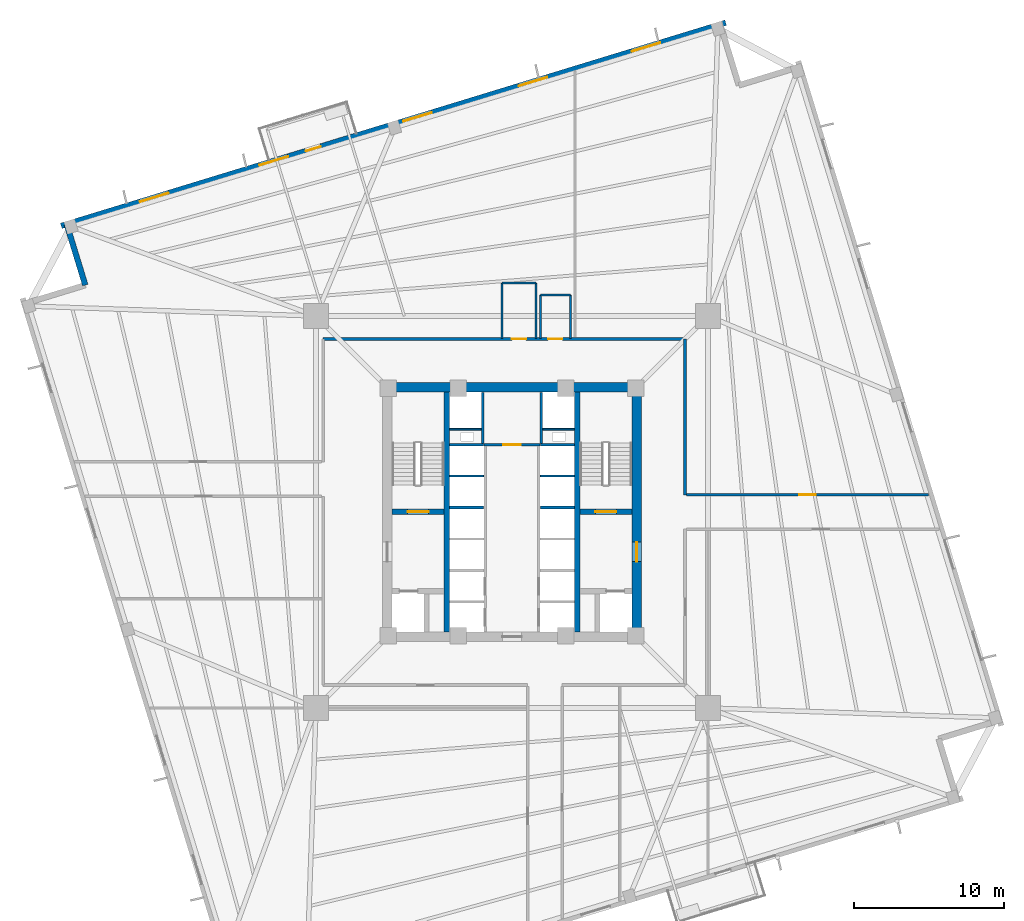
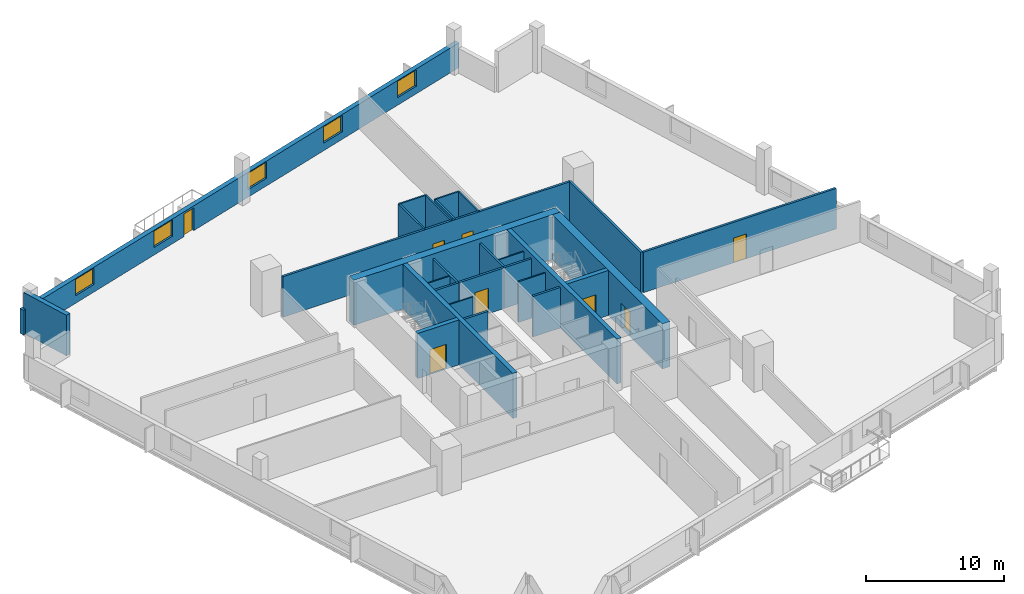
# One storey, part 4 of 8: 28 walls, 8 doors, 5 windows, 13 openings.
"""IFC4 building model written with IfcOpenShell, lengths in metres."""

from ifc_helpers import new_model, si_unit, direction, frame, frame_2d, origin, place, context, subcontext, project, spatial, rectangle, extrude, source, transform, mapped, material, layer, layer_set, type_object, element, fill, save


model = new_model("IFC4")

# Units and contexts
model_context = context("Model", 3, precision=1e-05, world=origin(), true_north=direction((0.0, 1.0)))
body_context = subcontext(model_context, "Body", "Model", "MODEL_VIEW")
ifc_project = project(units=[si_unit("LENGTHUNIT", "METRE"), si_unit("AREAUNIT", "SQUARE_METRE"), si_unit("VOLUMEUNIT", "CUBIC_METRE"), si_unit("PLANEANGLEUNIT", "RADIAN"), si_unit("MASSUNIT", "GRAM", prefix="KILO"), si_unit("THERMODYNAMICTEMPERATUREUNIT", "KELVIN")], contexts=[model_context])

# Site, building, storey
site_placement = place(None, origin())
site = spatial("IfcSite", under=ifc_project, at=site_placement, CompositionType="ELEMENT")
building_placement = place(site_placement, origin())
building = spatial("IfcBuilding", under=site, at=building_placement, Name="Kosmvard Interchange Tower", CompositionType="ELEMENT")
storey_placement = place(building_placement, frame((0.0, 0.0, 135.199951171875)))
storey = spatial("IfcBuildingStorey", under=building, at=storey_placement, Name="L32", CompositionType="ELEMENT", Elevation=135.199951171875)

# Walls
ifc_material_1 = material(Name="Fire-rated gypsum partition system")
ifc_layer_1 = layer(ifc_material_1, 0.159912109375, Name="Fire-rated gypsum partition system")
ifc_layer_set_1 = layer_set([ifc_layer_1], Name="Fire-rated gypsum partition system")
wall_type_1 = type_object("IfcWallType", Name="Core Compartment & Shuttle Lobby Partition 160", PredefinedType="PARTITIONING", material=ifc_layer_set_1)
for number, where, z_axis, x_axis, name in (
    (1, (-1.9599609375, 4.580078125, 0.0), (0.0, 0.0, 1.0), (0.0, 1.0, 0.0), "L32 North Core West Wall"),
    (2, (1.9599609375, 4.580078125, 0.0), (0.0, 0.0, 1.0), (0.0, 1.0, 0.0), "L32 North Core East Wall"),
):
    element("IfcWall", number, at=place(storey_placement, frame(where, z_axis=z_axis, x_axis=x_axis)), inside=storey, type_object=wall_type_1, Name=name, PredefinedType="PARTITIONING", context=body_context, shape_type="SweptSolid", body=[
        extrude(rectangle(XDim=3.39990234375, YDim=0.159912109375, at=frame_2d((1.699951171875, 0.0))), origin(), (0.0, 0.0, 1.0), 3.60009765625),
    ])

# Wall, opening, door
ifc_layer_2 = layer(ifc_material_1, 0.179931640625, Name="Fire-rated gypsum partition system")
ifc_layer_set_2 = layer_set([ifc_layer_2], Name="Fire-rated gypsum partition system")
wall_type_2 = type_object("IfcWallType", Name="Corridor & Hotel Compartment Partition 180", PredefinedType="PARTITIONING", material=ifc_layer_set_2)
wall_1_placement = place(storey_placement, frame((-1.8798828125, 4.489990234375, 0.0), z_axis=(0.0, 0.0, 1.0), x_axis=(1.0, 0.0, 0.0)))
wall_1 = element("IfcWall", 3, at=wall_1_placement, inside=storey, type_object=wall_type_2, Name="L32 Lift Lobby North Partition", PredefinedType="PARTITIONING", context=body_context, shape_type="SweptSolid", body=[
    extrude(rectangle(XDim=3.759765625, YDim=0.179931640625, at=frame_2d((1.8798828125, 0.0))), origin(), (0.0, 0.0, 1.0), 3.60009765625),
])
opening_1_placement = place(wall_1_placement, frame((1.304931640625, 0.0, 0.0)))
opening_1 = element("IfcOpeningElement", 4, at=opening_1_placement, cuts=wall_1, Name="Opening L32-KD1", PredefinedType="OPENING", context=body_context, shape_type="SweptSolid", body=[
    extrude(rectangle(XDim=1.14990234375, YDim=2.25, at=frame_2d((0.574951171875, 1.125))), frame((0.0, 0.10009765625, 0.0), z_axis=(0.0, -1.0, 0.0), x_axis=(1.0, 0.0, 0.0)), (0.0, 0.0, 1.0), 0.199951171875),
])
ifc_material_2 = material(Name="Painted fire-rated steel leaf", Category="steel")
door_type_1 = type_object("IfcDoorType", Name="Plant & Riser Fire Door 1150x2250 EI60", OperationType="NOTDEFINED", PredefinedType="DOOR", material=ifc_material_2)
shared_shape_1 = source(origin(), body_context, "Body", "SweptSolid", [
    extrude(rectangle(XDim=1.14990234375, YDim=2.25, at=frame_2d((0.574951171875, 1.125))), frame((0.0, 0.02490234375, 0.0), z_axis=(0.0, -1.0, 0.0), x_axis=(1.0, 0.0, 0.0)), (0.0, 0.0, 1.0), 0.050048828125),
])
door_1_placement = place(opening_1_placement, origin())
door_1 = element("IfcDoor", 5, at=door_1_placement, inside=storey, type_object=door_type_1, Name="L32 Core IT Room Door", OperationType="SINGLE_SWING_LEFT", OverallHeight=2.25, OverallWidth=1.14990234375, PredefinedType="DOOR", context=body_context, shape_type="MappedRepresentation", body=[
    mapped(shared_shape_1, transform((0.0, 0.0, 0.0), scale=1.0)),
])
fill(opening_1, door_1)

# Wall, openings, doors
wall_2_placement = place(storey_placement, frame((-12.60009765625, 11.550048828125, 0.0), z_axis=(0.0, 0.0, 1.0), x_axis=(1.0, 0.0, 0.0)))
wall_2 = element("IfcWall", 6, at=wall_2_placement, inside=storey, type_object=wall_type_2, Name="L32 Corridor Wall CN", PredefinedType="PARTITIONING", context=body_context, shape_type="SweptSolid", body=[
    extrude(rectangle(XDim=24.150146484375, YDim=0.179931640625, at=frame_2d((12.0751953125, 0.0))), origin(), (0.0, 0.0, 1.0), 3.60009765625),
])
opening_2_placement = place(wall_2_placement, frame((15.013916015625, 0.0, 0.0)))
opening_2 = element("IfcOpeningElement", 7, at=opening_2_placement, cuts=wall_2, Name="Opening L32-D01", PredefinedType="OPENING", context=body_context, shape_type="SweptSolid", body=[
    extrude(rectangle(XDim=0.949951171875, YDim=2.10009765625, at=frame_2d((0.47509765625, 1.050048828125))), frame((0.0, 0.10009765625, 0.0), z_axis=(0.0, -1.0, 0.0), x_axis=(1.0, 0.0, 0.0)), (0.0, 0.0, 1.0), 0.199951171875),
])
opening_3_placement = place(wall_2_placement, frame((12.58984375, 0.0, 0.0)))
opening_3 = element("IfcOpeningElement", 8, at=opening_3_placement, cuts=wall_2, Name="Opening L32-D02", PredefinedType="OPENING", context=body_context, shape_type="SweptSolid", body=[
    extrude(rectangle(XDim=0.949951171875, YDim=2.10009765625, at=frame_2d((0.47509765625, 1.050048828125))), frame((0.0, 0.10009765625, 0.0), z_axis=(0.0, -1.0, 0.0), x_axis=(1.0, 0.0, 0.0)), (0.0, 0.0, 1.0), 0.199951171875),
])
ifc_material_3 = material(Name="Laminated moisture-resistant timber", Category="wood")
door_type_2 = type_object("IfcDoorType", Name="Accessible Washroom Door 950x2100", OperationType="NOTDEFINED", PredefinedType="DOOR", material=ifc_material_3)
shared_shape_2 = source(origin(), body_context, "Body", "SweptSolid", [
    extrude(rectangle(XDim=0.949951171875, YDim=2.10009765625, at=frame_2d((0.47509765625, 1.050048828125))), frame((0.0, 0.02490234375, 0.0), z_axis=(0.0, -1.0, 0.0), x_axis=(1.0, 0.0, 0.0)), (0.0, 0.0, 1.0), 0.050048828125),
])
door_2_placement = place(opening_2_placement, origin())
door_2 = element("IfcDoor", 9, at=door_2_placement, inside=storey, type_object=door_type_2, Name="L32 Accessible Toilet Door", OperationType="SINGLE_SWING_LEFT", OverallHeight=2.10009765625, OverallWidth=0.949951171875, PredefinedType="DOOR", context=body_context, shape_type="MappedRepresentation", body=[
    mapped(shared_shape_2, transform((0.0, 0.0, 0.0), scale=1.0)),
])
fill(opening_2, door_2)
door_3_placement = place(opening_3_placement, origin())
door_3 = element("IfcDoor", 10, at=door_3_placement, inside=storey, type_object=door_type_2, Name="L32 Public Floor Washroom Door", OperationType="SINGLE_SWING_RIGHT", OverallHeight=2.10009765625, OverallWidth=0.949951171875, PredefinedType="DOOR", context=body_context, shape_type="MappedRepresentation", body=[
    mapped(shared_shape_2, transform((0.0, 0.0, 0.0), scale=1.0)),
])
fill(opening_3, door_3)

# Wall
wall_3_placement = place(storey_placement, frame((11.550048828125, 1.14990234375, 0.0), z_axis=(0.0, 0.0, 1.0), x_axis=(0.0, 1.0, 0.0)))
element("IfcWall", 11, at=wall_3_placement, inside=storey, type_object=wall_type_2, Name="L32 Corridor Wall CEN", PredefinedType="PARTITIONING", context=body_context, shape_type="SweptSolid", body=[
    extrude(rectangle(XDim=10.400146484375, YDim=0.179931640625, at=frame_2d((5.2001953125, 0.0))), origin(), (0.0, 0.0, 1.0), 3.60009765625),
])

# Wall, opening, door
wall_4_placement = place(storey_placement, frame((11.64990234375, 1.14990234375, 0.0), z_axis=(0.0, 0.0, 1.0), x_axis=(1.0, 0.0, 0.0)))
wall_4 = element("IfcWall", 12, at=wall_4_placement, inside=storey, type_object=wall_type_2, Name="L32 Corridor Wall SEN", PredefinedType="PARTITIONING", context=body_context, shape_type="SweptSolid", body=[
    extrude(rectangle(XDim=16.164306640625, YDim=0.179931640625, at=frame_2d((8.08203125, 0.0))), origin(), (0.0, 0.0, 1.0), 3.60009765625),
])
opening_4_placement = place(wall_4_placement, frame((7.531982421875, 0.0, 0.0)))
opening_4 = element("IfcOpeningElement", 13, at=opening_4_placement, cuts=wall_4, Name="Opening L32-D04", PredefinedType="OPENING", context=body_context, shape_type="SweptSolid", body=[
    extrude(rectangle(XDim=1.10009765625, YDim=2.199951171875, at=frame_2d((0.550048828125, 1.10009765625))), frame((0.0, 0.10009765625, 0.0), z_axis=(0.0, -1.0, 0.0), x_axis=(1.0, 0.0, 0.0)), (0.0, 0.0, 1.0), 0.199951171875),
])
ifc_material_4 = material(Name="Engineered oak fire-rated timber", Category="wood")
door_type_3 = type_object("IfcDoorType", Name="Office Suite Entrance Door 1100x2200 FD30S", OperationType="NOTDEFINED", PredefinedType="DOOR", material=ifc_material_4)
shared_shape_3 = source(origin(), body_context, "Body", "SweptSolid", [
    extrude(rectangle(XDim=1.10009765625, YDim=2.199951171875, at=frame_2d((0.550048828125, 1.10009765625))), frame((0.0, 0.02490234375, 0.0), z_axis=(0.0, -1.0, 0.0), x_axis=(1.0, 0.0, 0.0)), (0.0, 0.0, 1.0), 0.050048828125),
])
door_4_placement = place(opening_4_placement, origin())
door_4 = element("IfcDoor", 14, at=door_4_placement, inside=storey, type_object=door_type_3, Name="L32 Corporate Townhall Event Hall Door", OperationType="SINGLE_SWING_RIGHT", OverallHeight=2.199951171875, OverallWidth=1.10009765625, PredefinedType="DOOR", context=body_context, shape_type="MappedRepresentation", body=[
    mapped(shared_shape_3, transform((0.0, 0.0, 0.0), scale=1.0)),
])
fill(opening_4, door_4)

# Wall, openings, windows, door
ifc_material_5 = material(Name="Precast concrete C45/55", Category="concrete")
ifc_layer_3 = layer(ifc_material_5, 0.3798828125, Name="Precast concrete C45/55")
ifc_layer_set_3 = layer_set([ifc_layer_3], Name="Precast concrete C45/55")
wall_type_3 = type_object("IfcWallType", Name="Lower Tower Precast Pier Wall 380 C45/55", PredefinedType="STANDARD", material=ifc_layer_set_3)
wall_5_placement = place(storey_placement, frame((14.26513671875, 32.65771484375, 0.0), z_axis=(0.0, 0.0, 1.0), x_axis=(-0.956304320851, -0.292373127906, 0.0)))
wall_5 = element("IfcWall", 15, at=wall_5_placement, inside=storey, type_object=wall_type_3, Name="L32 Precast Facade Wall F-N", PredefinedType="STANDARD", context=body_context, shape_type="SweptSolid", body=[
    extrude(rectangle(XDim=46.380126953125, YDim=0.3798828125, at=frame_2d((23.18994140625, 0.0))), origin(), (0.0, 0.0, 1.0), 2.199951171875),
])
opening_5_placement = place(wall_5_placement, frame((28.264892578125, 0.0, 0.0)))
opening_5 = element("IfcOpeningElement", 16, at=opening_5_placement, cuts=wall_5, Name="Opening L32-BDE", PredefinedType="OPENING", context=body_context, shape_type="SweptSolid", body=[
    extrude(rectangle(XDim=1.050048828125, YDim=2.02001953125, at=frame_2d((0.52490234375, 1.010009765625))), frame((0.0, 0.199951171875, 0.0), z_axis=(0.0, -1.0, 0.0), x_axis=(1.0, 0.0, 0.0)), (0.0, 0.0, 1.0), 0.39990234375),
])
opening_6_placement = place(wall_5_placement, frame((4.565673828125, 0.0, 0.669921875)))
opening_6 = element("IfcOpeningElement", 17, at=opening_6_placement, cuts=wall_5, Name="Opening L32-W11", PredefinedType="OPENING", context=body_context, shape_type="SweptSolid", body=[
    extrude(rectangle(XDim=2.0, YDim=1.449951171875, at=frame_2d((1.0, 0.72509765625))), frame((0.0, 0.199951171875, 0.0), z_axis=(0.0, -1.0, 0.0), x_axis=(1.0, 0.0, 0.0)), (0.0, 0.0, 1.0), 0.39990234375),
])
opening_7_placement = place(wall_5_placement, frame((12.4501953125, 0.0, 0.669921875)))
opening_7 = element("IfcOpeningElement", 18, at=opening_7_placement, cuts=wall_5, Name="Opening L32-W12", PredefinedType="OPENING", context=body_context, shape_type="SweptSolid", body=[
    extrude(rectangle(XDim=2.0, YDim=1.449951171875, at=frame_2d((1.0, 0.72509765625))), frame((0.0, 0.199951171875, 0.0), z_axis=(0.0, -1.0, 0.0), x_axis=(1.0, 0.0, 0.0)), (0.0, 0.0, 1.0), 0.39990234375),
])
opening_8_placement = place(wall_5_placement, frame((20.512451171875, 0.0, 0.669921875)))
opening_8 = element("IfcOpeningElement", 19, at=opening_8_placement, cuts=wall_5, Name="Opening L32-W13", PredefinedType="OPENING", context=body_context, shape_type="SweptSolid", body=[
    extrude(rectangle(XDim=2.0, YDim=1.449951171875, at=frame_2d((1.0, 0.72509765625))), frame((0.0, 0.199951171875, 0.0), z_axis=(0.0, -1.0, 0.0), x_axis=(1.0, 0.0, 0.0)), (0.0, 0.0, 1.0), 0.39990234375),
])
opening_9_placement = place(wall_5_placement, frame((30.538330078125, 0.0, 0.669921875)))
opening_9 = element("IfcOpeningElement", 20, at=opening_9_placement, cuts=wall_5, Name="Opening L32-W14", PredefinedType="OPENING", context=body_context, shape_type="SweptSolid", body=[
    extrude(rectangle(XDim=2.0, YDim=1.449951171875, at=frame_2d((1.0, 0.72509765625))), frame((0.0, 0.199951171875, 0.0), z_axis=(0.0, -1.0, 0.0), x_axis=(1.0, 0.0, 0.0)), (0.0, 0.0, 1.0), 0.39990234375),
])
opening_10_placement = place(wall_5_placement, frame((38.88671875, 0.0, 0.669921875)))
opening_10 = element("IfcOpeningElement", 21, at=opening_10_placement, cuts=wall_5, Name="Opening L32-W15", PredefinedType="OPENING", context=body_context, shape_type="SweptSolid", body=[
    extrude(rectangle(XDim=2.0, YDim=1.449951171875, at=frame_2d((1.0, 0.72509765625))), frame((0.0, 0.199951171875, 0.0), z_axis=(0.0, -1.0, 0.0), x_axis=(1.0, 0.0, 0.0)), (0.0, 0.0, 1.0), 0.39990234375),
])
ifc_material_6 = material(Name="Low-E solar-control double glazing", Category="glass")
window_type = type_object("IfcWindowType", Name="Transfer Zone Punched Window 2000x1450", PartitioningType="SINGLE_PANEL", PredefinedType="WINDOW", material=ifc_material_6)
shared_shape_4 = source(origin(), body_context, "Body", "SweptSolid", [
    extrude(rectangle(XDim=2.0, YDim=1.449951171875, at=frame_2d((1.0, 0.72509765625))), frame((0.0, 0.030029296875, 0.0), z_axis=(0.0, -1.0, 0.0), x_axis=(1.0, 0.0, 0.0)), (0.0, 0.0, 1.0), 0.06005859375),
])
window_1_placement = place(opening_6_placement, origin())
window_1 = element("IfcWindow", 22, at=window_1_placement, inside=storey, type_object=window_type, Name="L32 Facade Punched Window 11", OverallHeight=1.449951171875, OverallWidth=2.0, PartitioningType="SINGLE_PANEL", PredefinedType="WINDOW", context=body_context, shape_type="MappedRepresentation", body=[
    mapped(shared_shape_4, transform((0.0, 0.0, 0.0), scale=1.0)),
])
fill(opening_6, window_1)
window_2_placement = place(opening_7_placement, origin())
window_2 = element("IfcWindow", 23, at=window_2_placement, inside=storey, type_object=window_type, Name="L32 Facade Punched Window 12", OverallHeight=1.449951171875, OverallWidth=2.0, PartitioningType="SINGLE_PANEL", PredefinedType="WINDOW", context=body_context, shape_type="MappedRepresentation", body=[
    mapped(shared_shape_4, transform((0.0, 0.0, 0.0), scale=1.0)),
])
fill(opening_7, window_2)
window_3_placement = place(opening_8_placement, origin())
window_3 = element("IfcWindow", 24, at=window_3_placement, inside=storey, type_object=window_type, Name="L32 Facade Punched Window 13", OverallHeight=1.449951171875, OverallWidth=2.0, PartitioningType="SINGLE_PANEL", PredefinedType="WINDOW", context=body_context, shape_type="MappedRepresentation", body=[
    mapped(shared_shape_4, transform((0.0, 0.0, 0.0), scale=1.0)),
])
fill(opening_8, window_3)
window_4_placement = place(opening_9_placement, origin())
window_4 = element("IfcWindow", 25, at=window_4_placement, inside=storey, type_object=window_type, Name="L32 Facade Punched Window 14", OverallHeight=1.449951171875, OverallWidth=2.0, PartitioningType="SINGLE_PANEL", PredefinedType="WINDOW", context=body_context, shape_type="MappedRepresentation", body=[
    mapped(shared_shape_4, transform((0.0, 0.0, 0.0), scale=1.0)),
])
fill(opening_9, window_4)
window_5_placement = place(opening_10_placement, origin())
window_5 = element("IfcWindow", 26, at=window_5_placement, inside=storey, type_object=window_type, Name="L32 Facade Punched Window 15", OverallHeight=1.449951171875, OverallWidth=2.0, PartitioningType="SINGLE_PANEL", PredefinedType="WINDOW", context=body_context, shape_type="MappedRepresentation", body=[
    mapped(shared_shape_4, transform((0.0, 0.0, 0.0), scale=1.0)),
])
fill(opening_10, window_5)
ifc_material_7 = material(Name="Anodised aluminium and safety glass", Category="aluminium")
door_type_4 = type_object("IfcDoorType", Name="Tree-Balcony Glazed Door 1050x2250", OperationType="NOTDEFINED", PredefinedType="DOOR", material=ifc_material_7)
shared_shape_5 = source(origin(), body_context, "Body", "SweptSolid", [
    extrude(rectangle(XDim=1.050048828125, YDim=2.02001953125, at=frame_2d((0.52490234375, 1.010009765625))), frame((0.0, 0.02490234375, 0.0), z_axis=(0.0, -1.0, 0.0), x_axis=(1.0, 0.0, 0.0)), (0.0, 0.0, 1.0), 0.050048828125),
])
door_5_placement = place(opening_5_placement, origin())
door_5 = element("IfcDoor", 27, at=door_5_placement, inside=storey, type_object=door_type_4, Name="L32 Tree-Balcony Door BAL-L32-NE", OperationType="SINGLE_SWING_LEFT", OverallHeight=2.02001953125, OverallWidth=1.050048828125, PredefinedType="DOOR", context=body_context, shape_type="MappedRepresentation", body=[
    mapped(shared_shape_5, transform((0.0, 0.0, 0.0), scale=1.0)),
])
fill(opening_5, door_5)

# Walls
wall_6_placement = place(storey_placement, frame((-29.724853515625, 19.20849609375, 0.0), z_axis=(0.0, 0.0, 1.0), x_axis=(0.292345507338, -0.956312764915, 0.0)))
element("IfcWall", 28, at=wall_6_placement, inside=storey, type_object=wall_type_3, Name="L32 Precast Facade Wall N-NW1", PredefinedType="STANDARD", context=body_context, shape_type="SweptSolid", body=[
    extrude(rectangle(XDim=4.249755859375, YDim=0.3798828125, at=frame_2d((2.125, 0.0))), origin(), (0.0, 0.0, 1.0), 3.60009765625),
])
ifc_material_8 = material(Name="Concrete C70/85", Category="concrete")
ifc_layer_4 = layer(ifc_material_8, 0.64990234375, Name="Concrete C70/85")
ifc_layer_set_4 = layer_set([ifc_layer_4], Name="Concrete C70/85")
wall_type_4 = type_object("IfcWallType", Name="Mid Core Shear Wall 650 C70/85", PredefinedType="SHEAR", material=ifc_layer_set_4)
wall_7_placement = place(storey_placement, frame((-8.64990234375, 8.324951171875, 0.0), z_axis=(0.0, 0.0, 1.0), x_axis=(1.0, 0.0, 0.0)))
element("IfcWall", 29, at=wall_7_placement, inside=storey, type_object=wall_type_4, Name="L32 Core Shear Wall CW-N", PredefinedType="SHEAR", context=body_context, shape_type="SweptSolid", body=[
    extrude(rectangle(XDim=17.2998046875, YDim=0.64990234375, at=frame_2d((8.64990234375, 0.0))), origin(), (0.0, 0.0, 1.0), 4.0),
])

# Wall, opening, door
wall_8_placement = place(storey_placement, frame((8.324951171875, -8.0, 0.0), z_axis=(0.0, 0.0, 1.0), x_axis=(0.0, 1.0, 0.0)))
wall_8 = element("IfcWall", 30, at=wall_8_placement, inside=storey, type_object=wall_type_4, Name="L32 Core Shear Wall CW-E", PredefinedType="SHEAR", context=body_context, shape_type="SweptSolid", body=[
    extrude(rectangle(XDim=16.0, YDim=0.64990234375, at=frame_2d((8.0, 0.0))), origin(), (0.0, 0.0, 1.0), 4.0),
])
opening_11_placement = place(wall_8_placement, frame((4.68994140625, 0.0, 0.0)))
opening_11 = element("IfcOpeningElement", 31, at=opening_11_placement, cuts=wall_8, Name="Opening L32-FD2", PredefinedType="OPENING", context=body_context, shape_type="SweptSolid", body=[
    extrude(rectangle(XDim=1.300048828125, YDim=2.199951171875, at=frame_2d((0.64990234375, 1.10009765625))), frame((0.0, 0.3349609375, 0.0), z_axis=(0.0, -1.0, 0.0), x_axis=(1.0, 0.0, 0.0)), (0.0, 0.0, 1.0), 0.669921875),
])
door_type_5 = type_object("IfcDoorType", Name="Firefighting Lobby Door 1300x2200 EI60", OperationType="NOTDEFINED", PredefinedType="DOOR", material=ifc_material_2)
shared_shape_6 = source(origin(), body_context, "Body", "SweptSolid", [
    extrude(rectangle(XDim=1.300048828125, YDim=2.199951171875, at=frame_2d((0.64990234375, 1.10009765625))), frame((0.0, 0.02490234375, 0.0), z_axis=(0.0, -1.0, 0.0), x_axis=(1.0, 0.0, 0.0)), (0.0, 0.0, 1.0), 0.050048828125),
])
door_6_placement = place(opening_11_placement, origin())
door_6 = element("IfcDoor", 32, at=door_6_placement, inside=storey, type_object=door_type_5, Name="L32 Firefighting Lobby East Door", OperationType="SINGLE_SWING_RIGHT", OverallHeight=2.199951171875, OverallWidth=1.300048828125, PredefinedType="DOOR", context=body_context, shape_type="MappedRepresentation", body=[
    mapped(shared_shape_6, transform((0.0, 0.0, 0.0), scale=1.0)),
])
fill(opening_11, door_6)

# Walls
ifc_material_9 = material(Name="Concrete blockwork masonry", Category="masonry")
ifc_layer_5 = layer(ifc_material_9, 0.179931640625, Name="Concrete blockwork masonry")
ifc_layer_set_5 = layer_set([ifc_layer_5], Name="Concrete blockwork masonry")
wall_type_5 = type_object("IfcWallType", Name="Riser & Lift Bank Divider Wall 180", PredefinedType="PARTITIONING", material=ifc_layer_set_5)
for number, where, z_axis, x_axis, name in (
    (33, (-4.169921875, 0.300048828125, 0.0), (0.0, 0.0, 1.0), (1.0, 0.0, 0.0), "L32 West Bank Divider BD2"),
    (34, (1.889892578125, 0.300048828125, 0.0), (0.0, 0.0, 1.0), (1.0, 0.0, 0.0), "L32 East Bank Divider BD2"),
    (35, (-4.169921875, 4.489990234375, 0.0), (0.0, 0.0, 1.0), (1.0, 0.0, 0.0), "L32 West Bank Divider BD3"),
    (36, (1.889892578125, 4.489990234375, 0.0), (0.0, 0.0, 1.0), (1.0, 0.0, 0.0), "L32 East Bank Divider BD3"),
):
    element("IfcWall", number, at=place(storey_placement, frame(where, z_axis=z_axis, x_axis=x_axis)), inside=storey, type_object=wall_type_5, Name=name, PredefinedType="PARTITIONING", context=body_context, shape_type="SweptSolid", body=[
        extrude(rectangle(XDim=2.280029296875, YDim=0.179931640625, at=frame_2d((1.14013671875, 0.0))), origin(), (0.0, 0.0, 1.0), 3.60009765625),
    ])
ifc_material_10 = material(Name="Fire-rated gypsum shaftwall system")
ifc_layer_6 = layer(ifc_material_10, 0.1201171875, Name="Fire-rated gypsum shaftwall system")
ifc_layer_set_6 = layer_set([ifc_layer_6], Name="Fire-rated gypsum shaftwall system")
wall_type_6 = type_object("IfcWallType", Name="Shaft & Riser Fire Partition 120 EI60", PredefinedType="PARTITIONING", material=ifc_layer_set_6)
for number, where, z_axis, x_axis, name in (
    (37, (-4.159912109375, 2.39990234375, 0.0), (0.0, 0.0, 1.0), (1.0, 0.0, 0.0), "L32 Shaft Divider PL-H1"),
    (38, (1.89990234375, 2.39990234375, 0.0), (0.0, 0.0, 1.0), (1.0, 0.0, 0.0), "L32 Shaft Divider PL-H3"),
):
    element("IfcWall", number, at=place(storey_placement, frame(where, z_axis=z_axis, x_axis=x_axis)), inside=storey, type_object=wall_type_6, Name=name, PredefinedType="PARTITIONING", context=body_context, shape_type="SweptSolid", body=[
        extrude(rectangle(XDim=2.260009765625, YDim=0.1201171875, at=frame_2d((1.1298828125, 0.0))), origin(), (0.0, 0.0, 1.0), 3.60009765625),
    ])
for number, where, z_axis, x_axis, name in (
    (39, (-4.159912109375, 5.52001953125, 0.0), (0.0, 0.0, 1.0), (1.0, 0.0, 0.0), "L32 Riser Shaft Divider W"),
    (40, (2.06005859375, 5.52001953125, 0.0), (0.0, 0.0, 1.0), (1.0, 0.0, 0.0), "L32 Riser Shaft Divider E"),
):
    element("IfcWall", number, at=place(storey_placement, frame(where, z_axis=z_axis, x_axis=x_axis)), inside=storey, type_object=wall_type_6, Name=name, PredefinedType="PARTITIONING", context=body_context, shape_type="SweptSolid", body=[
        extrude(rectangle(XDim=2.099853515625, YDim=0.1201171875, at=frame_2d((1.0498046875, 0.0))), origin(), (0.0, 0.0, 1.0), 3.60009765625),
    ])
ifc_material_11 = material(Name="Concrete C60/75", Category="concrete")
ifc_layer_7 = layer(ifc_material_11, 0.360107421875, Name="Concrete C60/75")
ifc_layer_set_7 = layer_set([ifc_layer_7], Name="Concrete C60/75")
wall_type_7 = type_object("IfcWallType", Name="Stair & Lift Shaft Shear Wall 360 C60/75", PredefinedType="SHEAR", material=ifc_layer_set_7)
for number, where, z_axis, x_axis, name in (
    (41, (-4.360107421875, -8.0, 0.0), (0.0, 0.0, 1.0), (0.0, 1.0, 0.0), "L32 Shaft Shear Wall SW-W"),
    (42, (4.360107421875, -8.0, 0.0), (0.0, 0.0, 1.0), (0.0, 1.0, 0.0), "L32 Shaft Shear Wall SW-E"),
):
    element("IfcWall", number, at=place(storey_placement, frame(where, z_axis=z_axis, x_axis=x_axis)), inside=storey, type_object=wall_type_7, Name=name, PredefinedType="SHEAR", context=body_context, shape_type="SweptSolid", body=[
        extrude(rectangle(XDim=16.0, YDim=0.360107421875, at=frame_2d((8.0, 0.0))), origin(), (0.0, 0.0, 1.0), 4.0),
    ])

# Wall, opening, door
wall_9_placement = place(storey_placement, frame((-8.0, 0.02001953125, 0.0), z_axis=(0.0, 0.0, 1.0), x_axis=(1.0, 0.0, 0.0)))
wall_9 = element("IfcWall", 43, at=wall_9_placement, inside=storey, type_object=wall_type_7, Name="L32 Shaft Shear Wall SW-ST1", PredefinedType="SHEAR", context=body_context, shape_type="SweptSolid", body=[
    extrude(rectangle(XDim=3.4599609375, YDim=0.360107421875, at=frame_2d((1.72998046875, 0.0))), origin(), (0.0, 0.0, 1.0), 4.0),
])
opening_12_placement = place(wall_9_placement, frame((1.030029296875, 0.0, 0.0)))
opening_12 = element("IfcOpeningElement", 44, at=opening_12_placement, cuts=wall_9, Name="Opening L32-SD1", PredefinedType="OPENING", context=body_context, shape_type="SweptSolid", body=[
    extrude(rectangle(XDim=1.39990234375, YDim=2.199951171875, at=frame_2d((0.699951171875, 1.10009765625))), frame((0.0, 0.18994140625, 0.0), z_axis=(0.0, -1.0, 0.0), x_axis=(1.0, 0.0, 0.0)), (0.0, 0.0, 1.0), 0.380126953125),
])
door_type_6 = type_object("IfcDoorType", Name="Protected Stair Door 1400x2200 FD60S", OperationType="NOTDEFINED", PredefinedType="DOOR", material=ifc_material_2)
shared_shape_7 = source(origin(), body_context, "Body", "SweptSolid", [
    extrude(rectangle(XDim=1.39990234375, YDim=2.199951171875, at=frame_2d((0.699951171875, 1.10009765625))), frame((0.0, 0.02490234375, 0.0), z_axis=(0.0, -1.0, 0.0), x_axis=(1.0, 0.0, 0.0)), (0.0, 0.0, 1.0), 0.050048828125),
])
door_7_placement = place(opening_12_placement, origin())
door_7 = element("IfcDoor", 45, at=door_7_placement, inside=storey, type_object=door_type_6, Name="L32 Stair ST-1 Enclosure Door", OperationType="SINGLE_SWING_LEFT", OverallHeight=2.199951171875, OverallWidth=1.39990234375, PredefinedType="DOOR", context=body_context, shape_type="MappedRepresentation", body=[
    mapped(shared_shape_7, transform((0.0, 0.0, 0.0), scale=1.0)),
])
fill(opening_12, door_7)

wall_10_placement = place(storey_placement, frame((4.5400390625, 0.02001953125, 0.0), z_axis=(0.0, 0.0, 1.0), x_axis=(1.0, 0.0, 0.0)))
wall_10 = element("IfcWall", 46, at=wall_10_placement, inside=storey, type_object=wall_type_7, Name="L32 Shaft Shear Wall SW-ST2", PredefinedType="SHEAR", context=body_context, shape_type="SweptSolid", body=[
    extrude(rectangle(XDim=3.4599609375, YDim=0.360107421875, at=frame_2d((1.72998046875, 0.0))), origin(), (0.0, 0.0, 1.0), 4.0),
])
opening_13_placement = place(wall_10_placement, frame((1.030029296875, 0.0, 0.0)))
opening_13 = element("IfcOpeningElement", 47, at=opening_13_placement, cuts=wall_10, Name="Opening L32-SD2", PredefinedType="OPENING", context=body_context, shape_type="SweptSolid", body=[
    extrude(rectangle(XDim=1.39990234375, YDim=2.199951171875, at=frame_2d((0.699951171875, 1.10009765625))), frame((0.0, 0.18994140625, 0.0), z_axis=(0.0, -1.0, 0.0), x_axis=(1.0, 0.0, 0.0)), (0.0, 0.0, 1.0), 0.380126953125),
])
door_8_placement = place(opening_13_placement, origin())
door_8 = element("IfcDoor", 48, at=door_8_placement, inside=storey, type_object=door_type_6, Name="L32 Stair ST-2 Enclosure Door", OperationType="SINGLE_SWING_RIGHT", OverallHeight=2.199951171875, OverallWidth=1.39990234375, PredefinedType="DOOR", context=body_context, shape_type="MappedRepresentation", body=[
    mapped(shared_shape_7, transform((0.0, 0.0, 0.0), scale=1.0)),
])
fill(opening_13, door_8)

# Walls
ifc_material_12 = material(Name="Moisture-resistant gypsum partition")
ifc_layer_8 = layer(ifc_material_12, 0.135009765625, Name="Moisture-resistant gypsum partition")
ifc_layer_set_8 = layer_set([ifc_layer_8], Name="Moisture-resistant gypsum partition")
wall_type_8 = type_object("IfcWallType", Name="Wet Room Moisture-Resistant Partition 135", PredefinedType="PARTITIONING", material=ifc_layer_set_8)
wall_11_placement = place(storey_placement, frame((3.888916015625, 11.570068359375, 0.0), z_axis=(0.0, 0.0, 1.0), x_axis=(0.0, 1.0, 0.0)))
element("IfcWall", 49, at=wall_11_placement, inside=storey, type_object=wall_type_8, Name="L32 Washroom Partition AWC1-E", PredefinedType="PARTITIONING", context=body_context, shape_type="SweptSolid", body=[
    extrude(rectangle(XDim=2.89990234375, YDim=0.135009765625, at=frame_2d((1.449951171875, 0.0))), origin(), (0.0, 0.0, 1.0), 3.60009765625),
])
wall_12_placement = place(storey_placement, frame((1.888916015625, 14.469970703125, 0.0), z_axis=(0.0, 0.0, 1.0), x_axis=(1.0, 0.0, 0.0)))
element("IfcWall", 50, at=wall_12_placement, inside=storey, type_object=wall_type_8, Name="L32 Washroom Partition AWC1-N", PredefinedType="PARTITIONING", context=body_context, shape_type="SweptSolid", body=[
    extrude(rectangle(XDim=2.0, YDim=0.135009765625, at=frame_2d((1.0, 0.0))), origin(), (0.0, 0.0, 1.0), 3.60009765625),
])
wall_13_placement = place(storey_placement, frame((1.888916015625, 11.570068359375, 0.0), z_axis=(0.0, 0.0, 1.0), x_axis=(0.0, 1.0, 0.0)))
element("IfcWall", 51, at=wall_13_placement, inside=storey, type_object=wall_type_8, Name="L32 Washroom Partition AWC1-W", PredefinedType="PARTITIONING", context=body_context, shape_type="SweptSolid", body=[
    extrude(rectangle(XDim=2.89990234375, YDim=0.135009765625, at=frame_2d((1.449951171875, 0.0))), origin(), (0.0, 0.0, 1.0), 3.60009765625),
])
wall_14_placement = place(storey_placement, frame((1.58984375, 11.570068359375, 0.0), z_axis=(0.0, 0.0, 1.0), x_axis=(0.0, 1.0, 0.0)))
element("IfcWall", 52, at=wall_14_placement, inside=storey, type_object=wall_type_8, Name="L32 Washroom Partition WC1-E", PredefinedType="PARTITIONING", context=body_context, shape_type="SweptSolid", body=[
    extrude(rectangle(XDim=3.699951171875, YDim=0.135009765625, at=frame_2d((1.85009765625, 0.0))), origin(), (0.0, 0.0, 1.0), 3.60009765625),
])
wall_15_placement = place(storey_placement, frame((-0.66015625, 15.27001953125, 0.0), z_axis=(0.0, 0.0, 1.0), x_axis=(1.0, 0.0, 0.0)))
element("IfcWall", 53, at=wall_15_placement, inside=storey, type_object=wall_type_8, Name="L32 Washroom Partition WC1-N", PredefinedType="PARTITIONING", context=body_context, shape_type="SweptSolid", body=[
    extrude(rectangle(XDim=2.25, YDim=0.135009765625, at=frame_2d((1.125, 0.0))), origin(), (0.0, 0.0, 1.0), 3.60009765625),
])
wall_16_placement = place(storey_placement, frame((-0.66015625, 11.570068359375, 0.0), z_axis=(0.0, 0.0, 1.0), x_axis=(0.0, 1.0, 0.0)))
element("IfcWall", 54, at=wall_16_placement, inside=storey, type_object=wall_type_8, Name="L32 Washroom Partition WC1-W", PredefinedType="PARTITIONING", context=body_context, shape_type="SweptSolid", body=[
    extrude(rectangle(XDim=3.699951171875, YDim=0.135009765625, at=frame_2d((1.85009765625, 0.0))), origin(), (0.0, 0.0, 1.0), 3.60009765625),
])

save(model, "model.ifc")
